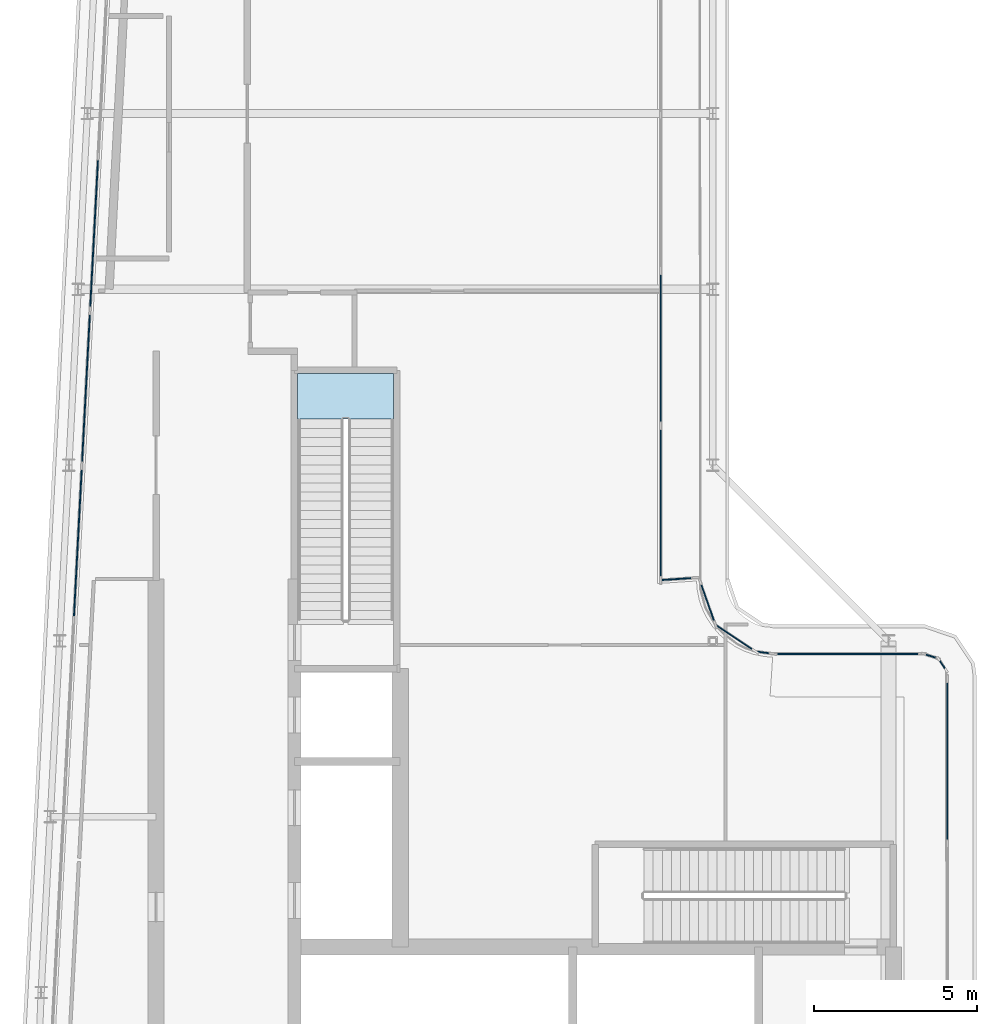
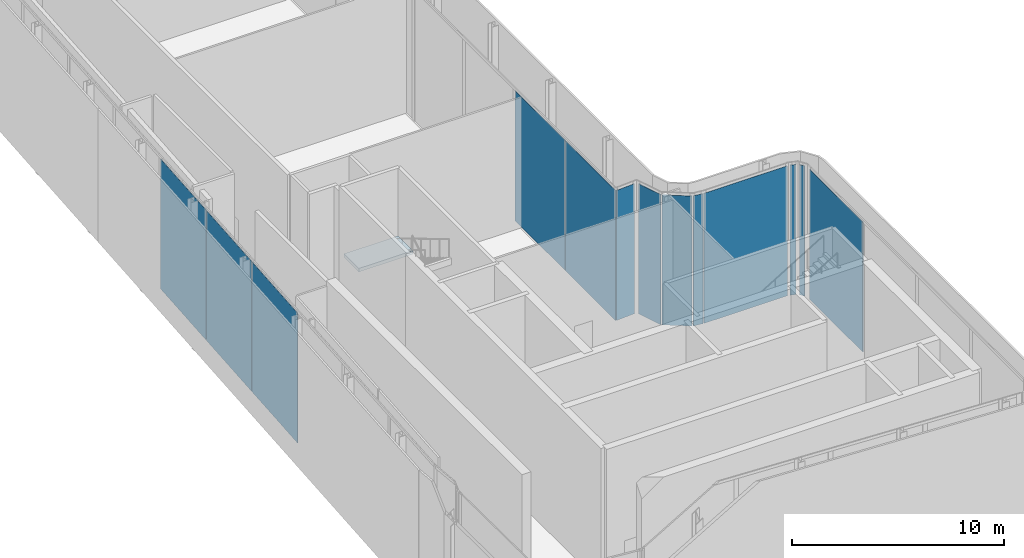
# One storey, part 12 of 23: 13 plates, 1 slab, 11 elements without a shape of their own.
"""IFC4 building model written with IfcOpenShell, lengths in metres."""

from ifc_helpers import new_model, si_unit, direction, frame, origin, origin_2d, place, context, subcontext, project, spatial, polyline, rectangle, outline, extrude, material, layer, layer_set, type_object, element, aggregate, save


model = new_model("IFC4")

# Units and contexts
model_context = context("Model", 3, precision=1e-05, world=origin(), true_north=direction((0.0, 1.0)))
body_context = subcontext(model_context, "Body", "Model", "MODEL_VIEW")
ifc_project = project(units=[si_unit("LENGTHUNIT", "METRE"), si_unit("AREAUNIT", "SQUARE_METRE"), si_unit("VOLUMEUNIT", "CUBIC_METRE"), si_unit("PLANEANGLEUNIT", "RADIAN"), si_unit("MASSUNIT", "GRAM", prefix="KILO")], contexts=[model_context])

# Site, building, storey
site_placement = place(None, origin())
site = spatial("IfcSite", under=ifc_project, at=site_placement, CompositionType="ELEMENT")
building_placement = place(site_placement, origin())
building = spatial("IfcBuilding", under=site, at=building_placement, Name="Kheshtan School and Residences Tower", CompositionType="ELEMENT")
storey_placement = place(building_placement, frame((0.0, 0.0, 389.0)))
storey = spatial("IfcBuildingStorey", under=building, at=storey_placement, Name="L92", CompositionType="ELEMENT", Elevation=389.0)

# Curtain wall, plates
ifc_material_1 = material(Name="Clear low-e glass in thermally broken aluminium frame", Category="aluminium")
ifc_layer_1 = layer(ifc_material_1, 0.25)
ifc_layer_set_1 = layer_set([ifc_layer_1], Name="Curtain wall CW-G")
curtain_wall_type_1 = type_object("IfcCurtainWallType", Name="Curtain wall CW-G", PredefinedType="NOTDEFINED", material=ifc_layer_set_1)
curtain_wall_1_placement = place(storey_placement, origin())
curtain_wall_1 = element("IfcCurtainWall", 1, at=curtain_wall_1_placement, inside=storey, type_object=curtain_wall_type_1, Name="Curtain wall CWG19c", PredefinedType="NOTDEFINED")
ifc_layer_2 = layer(ifc_material_1, 0.0380859375)
ifc_layer_set_2 = layer_set([ifc_layer_2], Name="CW-G glass panel")
plate_type_1 = type_object("IfcPlateType", Name="CW-G glass panel", PredefinedType="CURTAIN_PANEL", material=ifc_layer_set_2)
plate_1_placement = place(storey_placement, frame((46.0, 54.591064453125, 0.0), z_axis=(0.0, 0.0, 1.0), x_axis=(0.0, -1.0, 0.0)))
plate_1 = element("IfcPlate", 2, at=plate_1_placement, type_object=plate_type_1, Name="CWG19c panel 4.1", PredefinedType="CURTAIN_PANEL", context=body_context, shape_type="SweptSolid", body=[
    extrude(rectangle(XDim=4.714111328125, YDim=0.0380859375, at=origin_2d()), origin(), (0.0, 0.0, 1.0), 7.489990234375),
])
plate_2_placement = place(storey_placement, frame((46.0, 49.83203125, 0.0), z_axis=(0.0, 0.0, 1.0), x_axis=(0.0, -1.0, 0.0)))
plate_2 = element("IfcPlate", 3, at=plate_2_placement, type_object=plate_type_1, Name="CWG19c panel 5.1", PredefinedType="CURTAIN_PANEL", context=body_context, shape_type="SweptSolid", body=[
    extrude(rectangle(XDim=4.68408203125, YDim=0.0380859375, at=origin_2d()), origin(), (0.0, 0.0, 1.0), 7.489990234375),
])
aggregate(curtain_wall_1, [plate_1, plate_2])

# Curtain wall, plate
ifc_layer_3 = layer(ifc_material_1, 0.25)
ifc_layer_set_3 = layer_set([ifc_layer_3], Name="Curtain wall CW-K")
curtain_wall_type_2 = type_object("IfcCurtainWallType", Name="Curtain wall CW-K", PredefinedType="NOTDEFINED", material=ifc_layer_set_3)
curtain_wall_2_placement = place(storey_placement, origin())
curtain_wall_2 = element("IfcCurtainWall", 4, at=curtain_wall_2_placement, inside=storey, type_object=curtain_wall_type_2, Name="Curtain wall CWK1a", PredefinedType="NOTDEFINED")
ifc_layer_4 = layer(ifc_material_1, 0.0380859375)
ifc_layer_set_4 = layer_set([ifc_layer_4], Name="CW-K glass panel")
plate_type_2 = type_object("IfcPlateType", Name="CW-K glass panel", PredefinedType="CURTAIN_PANEL", material=ifc_layer_set_4)
plate_3_placement = place(storey_placement, frame((54.2978515625, 45.13232421875, 0.0), z_axis=(0.0, 0.0, 1.0), x_axis=(0.952703792543, -0.303900450271, 0.0)))
plate_3 = element("IfcPlate", 5, at=plate_3_placement, type_object=plate_type_2, Name="CWK1a panel 1.1", PredefinedType="CURTAIN_PANEL", context=body_context, shape_type="SweptSolid", body=[
    extrude(rectangle(XDim=0.294677734375, YDim=0.0380859375, at=origin_2d()), origin(), (0.0, 0.0, 1.0), 7.489990234375),
])
aggregate(curtain_wall_2, [plate_3])

curtain_wall_3_placement = place(storey_placement, origin())
curtain_wall_3 = element("IfcCurtainWall", 6, at=curtain_wall_3_placement, inside=storey, type_object=curtain_wall_type_2, Name="Curtain wall CWK2a", PredefinedType="NOTDEFINED")
plate_4_placement = place(storey_placement, frame((54.65478515625, 44.8701171875, 0.0), z_axis=(0.0, 0.0, 1.0), x_axis=(0.555301678168, -0.831648992198, 0.0)))
plate_4 = element("IfcPlate", 7, at=plate_4_placement, type_object=plate_type_2, Name="CWK2a panel 1.1", PredefinedType="CURTAIN_PANEL", context=body_context, shape_type="SweptSolid", body=[
    extrude(rectangle(XDim=0.263671875, YDim=0.0380859375, at=origin_2d()), origin(), (0.0, 0.0, 1.0), 7.489990234375),
])
aggregate(curtain_wall_3, [plate_4])

curtain_wall_4_placement = place(storey_placement, origin())
curtain_wall_4 = element("IfcCurtainWall", 8, at=curtain_wall_4_placement, inside=storey, type_object=curtain_wall_type_2, Name="Curtain wall CWK3c", PredefinedType="NOTDEFINED")
plate_5_placement = place(storey_placement, frame((54.800048828125, 41.903076171875, 0.0), z_axis=(0.0, 0.0, 1.0), x_axis=(0.0, -1.0, 0.0)))
plate_5 = element("IfcPlate", 9, at=plate_5_placement, type_object=plate_type_2, Name="CWK3c panel 1.1", PredefinedType="CURTAIN_PANEL", context=body_context, shape_type="SweptSolid", body=[
    extrude(rectangle(XDim=5.013916015625, YDim=0.0380859375, at=origin_2d()), origin(), (0.0, 0.0, 1.0), 7.489990234375),
])
aggregate(curtain_wall_4, [plate_5])

# Curtain wall, plates
curtain_wall_5_placement = place(storey_placement, origin())
curtain_wall_5 = element("IfcCurtainWall", 10, at=curtain_wall_5_placement, inside=storey, type_object=curtain_wall_type_2, Name="Curtain wall CWK10a", PredefinedType="NOTDEFINED")
plate_6_placement = place(storey_placement, frame((28.095703125, 48.608642578125, 0.0), z_axis=(0.0, 0.0, 1.0), x_axis=(0.05256513568, 0.998617497599, 0.0)))
plate_6 = element("IfcPlate", 11, at=plate_6_placement, type_object=plate_type_2, Name="CWK10a panel 4.1", PredefinedType="CURTAIN_PANEL", context=body_context, shape_type="SweptSolid", body=[
    extrude(rectangle(XDim=4.69873046875, YDim=0.0380859375, at=origin_2d()), origin(), (0.0, 0.0, 1.0), 7.489990234375),
])
plate_7_placement = place(storey_placement, frame((28.345703125, 53.36083984375, 0.0), z_axis=(0.0, 0.0, 1.0), x_axis=(0.05256513568, 0.998617497599, 0.0)))
plate_7 = element("IfcPlate", 12, at=plate_7_placement, type_object=plate_type_2, Name="CWK10a panel 5.1", PredefinedType="CURTAIN_PANEL", context=body_context, shape_type="SweptSolid", body=[
    extrude(rectangle(XDim=4.69873046875, YDim=0.0380859375, at=origin_2d()), origin(), (0.0, 0.0, 1.0), 7.489990234375),
])
plate_8_placement = place(storey_placement, frame((28.595947265625, 58.113037109375, 0.0), z_axis=(0.0, 0.0, 1.0), x_axis=(0.05256513568, 0.998617497599, 0.0)))
plate_8 = element("IfcPlate", 13, at=plate_8_placement, type_object=plate_type_2, Name="CWK10a panel 6.1", PredefinedType="CURTAIN_PANEL", context=body_context, shape_type="SweptSolid", body=[
    extrude(rectangle(XDim=4.69873046875, YDim=0.0380859375, at=origin_2d()), origin(), (0.0, 0.0, 1.0), 7.489990234375),
])
aggregate(curtain_wall_5, [plate_6, plate_7, plate_8])

# Curtain wall, plate
curtain_wall_6_placement = place(storey_placement, origin())
curtain_wall_6 = element("IfcCurtainWall", 14, at=curtain_wall_6_placement, inside=storey, type_object=curtain_wall_type_2, Name="Curtain wall CWK20a", PredefinedType="NOTDEFINED")
plate_9_placement = place(storey_placement, frame((46.532470703125, 47.502685546875, 0.0), z_axis=(0.0, 0.0, 1.0), x_axis=(0.997829199352, 0.065855059944, 0.0)))
plate_9 = element("IfcPlate", 15, at=plate_9_placement, type_object=plate_type_2, Name="CWK20a panel 1.1", PredefinedType="CURTAIN_PANEL", context=body_context, shape_type="SweptSolid", body=[
    extrude(rectangle(XDim=1.00830078125, YDim=0.0380859375, at=origin_2d()), origin(), (0.0, 0.0, 1.0), 7.489990234375),
])
aggregate(curtain_wall_6, [plate_9])

curtain_wall_7_placement = place(storey_placement, origin())
curtain_wall_7 = element("IfcCurtainWall", 16, at=curtain_wall_7_placement, inside=storey, type_object=curtain_wall_type_2, Name="Curtain wall CWK21a", PredefinedType="NOTDEFINED")
plate_10_placement = place(storey_placement, frame((47.4423828125, 46.772705078125, 0.0), z_axis=(0.0, 0.0, 1.0), x_axis=(0.331340177841, -0.943511360053, 0.0)))
plate_10 = element("IfcPlate", 17, at=plate_10_placement, type_object=plate_type_2, Name="CWK21a panel 1.1", PredefinedType="CURTAIN_PANEL", context=body_context, shape_type="SweptSolid", body=[
    extrude(rectangle(XDim=1.364990234375, YDim=0.0380859375, at=origin_2d()), origin(), (0.0, 0.0, 1.0), 7.489990234375),
])
aggregate(curtain_wall_7, [plate_10])

curtain_wall_8_placement = place(storey_placement, origin())
curtain_wall_8 = element("IfcCurtainWall", 18, at=curtain_wall_8_placement, inside=storey, type_object=curtain_wall_type_2, Name="Curtain wall CWK22a", PredefinedType="NOTDEFINED")
plate_11_placement = place(storey_placement, frame((48.294677734375, 45.69091796875, 0.0), z_axis=(0.0, 0.0, 1.0), x_axis=(0.831352904033, -0.555744859586, 0.0)))
plate_11 = element("IfcPlate", 19, at=plate_11_placement, type_object=plate_type_2, Name="CWK22a panel 1.1", PredefinedType="CURTAIN_PANEL", context=body_context, shape_type="SweptSolid", body=[
    extrude(rectangle(XDim=1.419677734375, YDim=0.0380859375, at=origin_2d()), origin(), (0.0, 0.0, 1.0), 7.489990234375),
])
aggregate(curtain_wall_8, [plate_11])

curtain_wall_9_placement = place(storey_placement, origin())
curtain_wall_9 = element("IfcCurtainWall", 20, at=curtain_wall_9_placement, inside=storey, type_object=curtain_wall_type_2, Name="Curtain wall CWK23a", PredefinedType="NOTDEFINED")
plate_12_placement = place(storey_placement, frame((49.180908203125, 45.239990234375, 0.0), z_axis=(0.0, 0.0, 1.0), x_axis=(0.99093208818, -0.134363672971, 0.0)))
plate_12 = element("IfcPlate", 21, at=plate_12_placement, type_object=plate_type_2, Name="CWK23a panel 1.1", PredefinedType="CURTAIN_PANEL", context=body_context, shape_type="SweptSolid", body=[
    extrude(rectangle(XDim=0.488525390625, YDim=0.0380859375, at=origin_2d()), origin(), (0.0, 0.0, 1.0), 7.489990234375),
])
aggregate(curtain_wall_9, [plate_12])

curtain_wall_10_placement = place(storey_placement, origin())
curtain_wall_10 = element("IfcCurtainWall", 22, at=curtain_wall_10_placement, inside=storey, type_object=curtain_wall_type_2, Name="Curtain wall CWK24c", PredefinedType="NOTDEFINED")
plate_13_placement = place(storey_placement, frame((51.746337890625, 45.199951171875, 0.0), z_axis=(0.0, 0.0, 1.0), x_axis=(1.0, 0.0, 0.0)))
plate_13 = element("IfcPlate", 23, at=plate_13_placement, type_object=plate_type_2, Name="CWK24c panel 1.1", PredefinedType="CURTAIN_PANEL", context=body_context, shape_type="SweptSolid", body=[
    extrude(rectangle(XDim=4.52734375, YDim=0.0380859375, at=origin_2d()), origin(), (0.0, 0.0, 1.0), 7.489990234375),
])
aggregate(curtain_wall_10, [plate_13])

# Stair, slab
ifc_material_2 = material(Name="Concrete C40/50", Category="concrete")
stair_type = type_object("IfcStairType", Name="Exit stair, half-turn", PredefinedType="HALF_TURN_STAIR", material=ifc_material_2)
stair_placement = place(storey_placement, origin())
stair = element("IfcStair", 24, at=stair_placement, inside=storey, type_object=stair_type, Name="L92 Protected Exit Stair ST2", PredefinedType="HALF_TURN_STAIR")
ifc_layer_5 = layer(ifc_material_2, 0.199951171875)
ifc_layer_set_5 = layer_set([ifc_layer_5], Name="Stair landing 200 Concrete C40/50")
slab_type = type_object("IfcSlabType", Name="Stair landing 200 Concrete C40/50", PredefinedType="LANDING", material=ifc_layer_set_5)
slab_placement = place(storey_placement, frame((0.0, 0.0, 3.699951171875)))
slab = element("IfcSlab", 25, at=slab_placement, type_object=slab_type, Name="ST2 landing 1", PredefinedType="LANDING", context=body_context, shape_type="SweptSolid", body=[
    extrude(outline(polyline([(37.800048828125, 52.409912109375), (37.800048828125, 53.81005859375), (34.85009765625, 53.81005859375), (34.85009765625, 52.409912109375), (37.800048828125, 52.409912109375)])), origin(), (0.0, 0.0, 1.0), 0.199951171875),
])
aggregate(stair, [slab])

save(model, "model.ifc")
